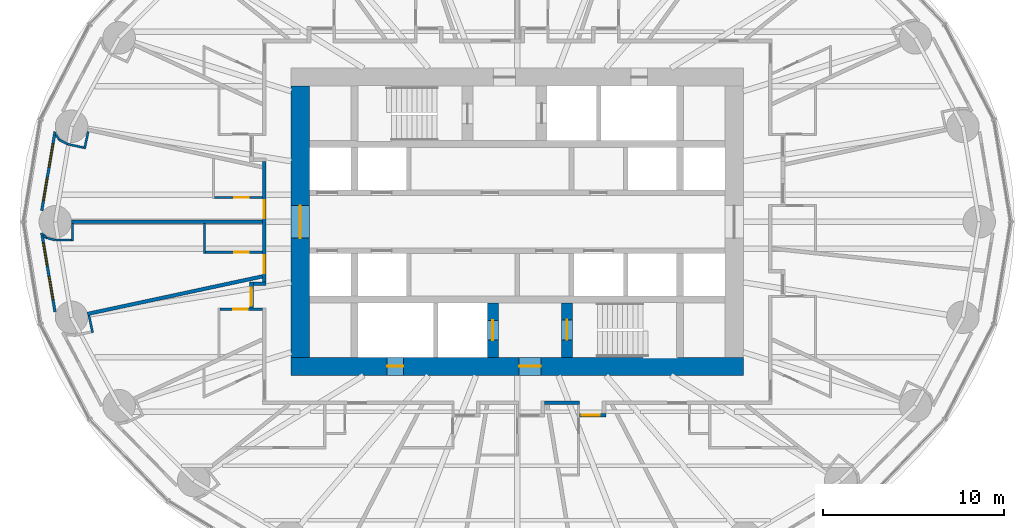
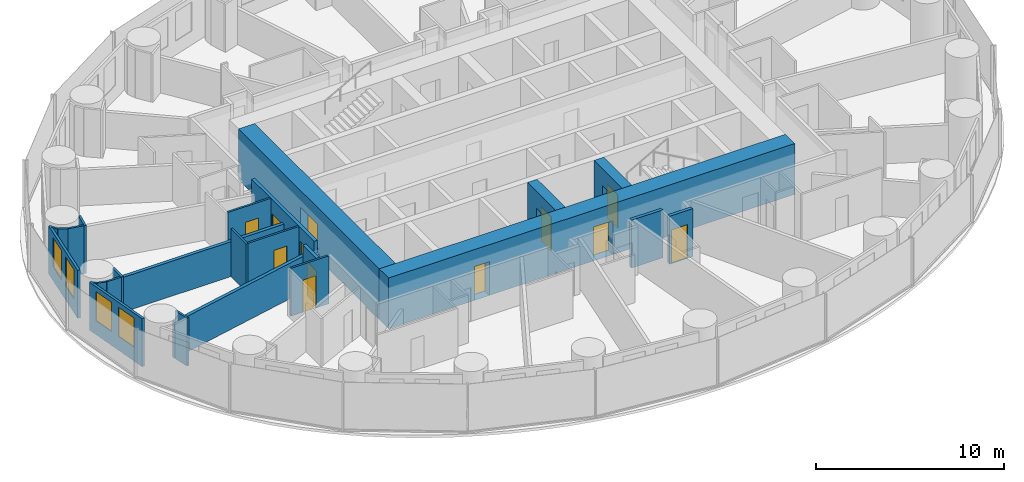
# One storey, part 7 of 14: 26 walls, 12 doors, 4 windows, 16 openings.
"""IFC4 building model written with IfcOpenShell, lengths in metres."""

from ifc_helpers import new_model, si_unit, direction, frame, frame_2d, origin, place, context, subcontext, project, spatial, rectangle, extrude, material, layer, layer_set, type_object, element, fill, save


model = new_model("IFC4")

# Units and contexts
model_context = context("Model", 3, precision=1e-05, world=origin(), true_north=direction((0.0, 1.0)))
body_context = subcontext(model_context, "Body", "Model", "MODEL_VIEW")
ifc_project = project(units=[si_unit("LENGTHUNIT", "METRE"), si_unit("AREAUNIT", "SQUARE_METRE"), si_unit("VOLUMEUNIT", "CUBIC_METRE"), si_unit("PLANEANGLEUNIT", "RADIAN"), si_unit("MASSUNIT", "GRAM", prefix="KILO")], contexts=[model_context])

# Site, building, storey
site_placement = place(None, origin())
site = spatial("IfcSite", under=ifc_project, at=site_placement, CompositionType="ELEMENT")
building_placement = place(site_placement, origin())
building = spatial("IfcBuilding", under=site, at=building_placement, Name="Hankou Lantern Tower", CompositionType="ELEMENT")
storey_placement = place(building_placement, frame((0.0, 0.0, 29.39990234375)))
storey = spatial("IfcBuildingStorey", under=building, at=storey_placement, Name="L05", CompositionType="ELEMENT", Elevation=29.39990234375)

# Wall, openings, doors
ifc_material_1 = material(Name="Concrete C60", Category="concrete")
ifc_layer_1 = layer(ifc_material_1, 1.0)
ifc_layer_set_1 = layer_set([ifc_layer_1], Name="Concrete C60")
wall_type_1 = type_object("IfcWallType", Name="CW1 CORE WALL 1000", PredefinedType="SHEAR", material=ifc_layer_set_1)
wall_1_placement = place(storey_placement, frame((12.5, -8.0, 0.0), z_axis=(0.0, 0.0, 1.0), x_axis=(-1.0, 0.0, 0.0)))
wall_1 = element("IfcWall", 1, at=wall_1_placement, inside=storey, type_object=wall_type_1, Name="Core wall south L05", PredefinedType="SHEAR", context=body_context, shape_type="SweptSolid", body=[
    extrude(rectangle(XDim=25.0, YDim=1.0, at=frame_2d((12.5, 0.0))), origin(), (0.0, 0.0, 1.0), 3.300048828125),
])
opening_1_placement = place(wall_1_placement, frame((11.199951171875, 0.0, 0.0)))
opening_1 = element("IfcOpeningElement", 2, at=opening_1_placement, cuts=wall_1, Name="Opening D5", PredefinedType="OPENING", context=body_context, shape_type="SweptSolid", body=[
    extrude(rectangle(XDim=1.199951171875, YDim=2.199951171875, at=frame_2d((0.60009765625, 1.10009765625))), frame((0.0, 0.510009765625, 0.0), z_axis=(0.0, -1.0, 0.0), x_axis=(1.0, 0.0, 0.0)), (0.0, 0.0, 1.0), 1.02001953125),
])
opening_2_placement = place(wall_1_placement, frame((18.800048828125, 0.0, 0.0)))
opening_2 = element("IfcOpeningElement", 3, at=opening_2_placement, cuts=wall_1, Name="Opening D7", PredefinedType="OPENING", context=body_context, shape_type="SweptSolid", body=[
    extrude(rectangle(XDim=0.89990234375, YDim=2.199951171875, at=frame_2d((0.449951171875, 1.10009765625))), frame((0.0, 0.510009765625, 0.0), z_axis=(0.0, -1.0, 0.0), x_axis=(1.0, 0.0, 0.0)), (0.0, 0.0, 1.0), 1.02001953125),
])
ifc_material_2 = material(Name="Steel door leaf", Category="steel")
door_type_1 = type_object("IfcDoorType", Name="D5 STAIR LOBBY DOOR 1200X2200", OperationType="SINGLE_SWING_LEFT", PredefinedType="DOOR", material=ifc_material_2)
door_1_placement = place(opening_1_placement, origin())
door_1 = element("IfcDoor", 4, at=door_1_placement, inside=storey, type_object=door_type_1, Name="Stair B lobby door", OperationType="SINGLE_SWING_LEFT", OverallHeight=2.199951171875, OverallWidth=1.199951171875, PredefinedType="DOOR", context=body_context, shape_type="SweptSolid", body=[
    extrude(rectangle(XDim=1.199951171875, YDim=2.199951171875, at=frame_2d((0.60009765625, 1.10009765625))), frame((0.0, 0.02490234375, 0.0), z_axis=(0.0, -1.0, 0.0), x_axis=(1.0, 0.0, 0.0)), (0.0, 0.0, 1.0), 0.050048828125),
])
fill(opening_1, door_1)
ifc_material_3 = material(Name="Steel door leaf", Category="steel")
door_type_2 = type_object("IfcDoorType", Name="D7 RISER DOOR 900X2200", OperationType="SINGLE_SWING_LEFT", PredefinedType="DOOR", material=ifc_material_3)
door_2_placement = place(opening_2_placement, origin())
door_2 = element("IfcDoor", 5, at=door_2_placement, inside=storey, type_object=door_type_2, Name="Riser S1 door", OperationType="SINGLE_SWING_RIGHT", OverallHeight=2.199951171875, OverallWidth=0.89990234375, PredefinedType="DOOR", context=body_context, shape_type="SweptSolid", body=[
    extrude(rectangle(XDim=0.89990234375, YDim=2.199951171875, at=frame_2d((0.449951171875, 1.10009765625))), frame((0.0, 0.02490234375, 0.0), z_axis=(0.0, -1.0, 0.0), x_axis=(1.0, 0.0, 0.0)), (0.0, 0.0, 1.0), 0.050048828125),
])
fill(opening_2, door_2)

# Wall, opening, door
wall_2_placement = place(storey_placement, frame((-12.0, 7.5, 0.0), z_axis=(0.0, 0.0, 1.0), x_axis=(0.0, -1.0, 0.0)))
wall_2 = element("IfcWall", 6, at=wall_2_placement, inside=storey, type_object=wall_type_1, Name="Core wall west L05", PredefinedType="SHEAR", context=body_context, shape_type="SweptSolid", body=[
    extrude(rectangle(XDim=15.0, YDim=1.0, at=frame_2d((7.5, 0.0))), origin(), (0.0, 0.0, 1.0), 3.300048828125),
])
opening_3_placement = place(wall_2_placement, frame((6.60009765625, 0.0, 0.0)))
opening_3 = element("IfcOpeningElement", 7, at=opening_3_placement, cuts=wall_2, Name="Opening D6", PredefinedType="OPENING", context=body_context, shape_type="SweptSolid", body=[
    extrude(rectangle(XDim=1.800048828125, YDim=2.199951171875, at=frame_2d((0.89990234375, 1.10009765625))), frame((0.0, 0.510009765625, 0.0), z_axis=(0.0, -1.0, 0.0), x_axis=(1.0, 0.0, 0.0)), (0.0, 0.0, 1.0), 1.02001953125),
])
ifc_material_4 = material(Name="Steel door leaf", Category="steel")
door_type_3 = type_object("IfcDoorType", Name="D6 LIFT LOBBY DOOR 1800X2200", OperationType="DOUBLE_DOOR_DOUBLE_SWING", PredefinedType="DOOR", material=ifc_material_4)
door_3_placement = place(opening_3_placement, origin())
door_3 = element("IfcDoor", 8, at=door_3_placement, inside=storey, type_object=door_type_3, Name="Lift lobby west door", OperationType="DOUBLE_DOOR_DOUBLE_SWING", OverallHeight=2.199951171875, OverallWidth=1.800048828125, PredefinedType="DOOR", context=body_context, shape_type="SweptSolid", body=[
    extrude(rectangle(XDim=1.800048828125, YDim=2.199951171875, at=frame_2d((0.89990234375, 1.10009765625))), frame((0.0, 0.02490234375, 0.0), z_axis=(0.0, -1.0, 0.0), x_axis=(1.0, 0.0, 0.0)), (0.0, 0.0, 1.0), 0.050048828125),
])
fill(opening_3, door_3)

ifc_material_5 = material(Name="Concrete C60", Category="concrete")
ifc_layer_2 = layer(ifc_material_5, 0.60009765625)
ifc_layer_set_2 = layer_set([ifc_layer_2], Name="Concrete C60")
wall_type_2 = type_object("IfcWallType", Name="CW6 STAIR AND SHAFT WALL 600", PredefinedType="SHEAR", material=ifc_layer_set_2)
wall_3_placement = place(storey_placement, frame((2.75, -7.5, 0.0), z_axis=(0.0, 0.0, 1.0), x_axis=(0.0, 1.0, 0.0)))
wall_3 = element("IfcWall", 9, at=wall_3_placement, inside=storey, type_object=wall_type_2, Name="Stair wall L05", PredefinedType="SHEAR", context=body_context, shape_type="SweptSolid", body=[
    extrude(rectangle(XDim=3.0, YDim=0.60009765625, at=frame_2d((1.5, 0.0))), origin(), (0.0, 0.0, 1.0), 3.300048828125),
])
opening_4_placement = place(wall_3_placement, frame((0.97509765625, 0.0, 0.0)))
opening_4 = element("IfcOpeningElement", 10, at=opening_4_placement, cuts=wall_3, Name="Opening D4", PredefinedType="OPENING", context=body_context, shape_type="SweptSolid", body=[
    extrude(rectangle(XDim=1.10009765625, YDim=2.199951171875, at=frame_2d((0.550048828125, 1.10009765625))), frame((0.0, 0.31005859375, 0.0), z_axis=(0.0, -1.0, 0.0), x_axis=(1.0, 0.0, 0.0)), (0.0, 0.0, 1.0), 0.6201171875),
])
ifc_material_6 = material(Name="Steel door leaf", Category="steel")
door_type_4 = type_object("IfcDoorType", Name="D4 STAIR DOOR 1100X2200", OperationType="SINGLE_SWING_LEFT", PredefinedType="DOOR", material=ifc_material_6)
door_4_placement = place(opening_4_placement, origin())
door_4 = element("IfcDoor", 11, at=door_4_placement, inside=storey, type_object=door_type_4, Name="Stair B door", OperationType="SINGLE_SWING_RIGHT", OverallHeight=2.199951171875, OverallWidth=1.10009765625, PredefinedType="DOOR", context=body_context, shape_type="SweptSolid", body=[
    extrude(rectangle(XDim=1.10009765625, YDim=2.199951171875, at=frame_2d((0.550048828125, 1.10009765625))), frame((0.0, 0.02490234375, 0.0), z_axis=(0.0, -1.0, 0.0), x_axis=(1.0, 0.0, 0.0)), (0.0, 0.0, 1.0), 0.050048828125),
])
fill(opening_4, door_4)

wall_4_placement = place(storey_placement, frame((-1.35009765625, -7.5, 0.0), z_axis=(0.0, 0.0, 1.0), x_axis=(0.0, 1.0, 0.0)))
wall_4 = element("IfcWall", 12, at=wall_4_placement, inside=storey, type_object=wall_type_2, Name="Firefighting lift shaft wall L05", PredefinedType="SHEAR", context=body_context, shape_type="SweptSolid", body=[
    extrude(rectangle(XDim=3.0, YDim=0.60009765625, at=frame_2d((1.5, 0.0))), origin(), (0.0, 0.0, 1.0), 3.300048828125),
])
opening_5_placement = place(wall_4_placement, frame((0.949951171875, 0.0, 0.0)))
opening_5 = element("IfcOpeningElement", 13, at=opening_5_placement, cuts=wall_4, Name="Opening LD2", PredefinedType="OPENING", context=body_context, shape_type="SweptSolid", body=[
    extrude(rectangle(XDim=1.10009765625, YDim=2.199951171875, at=frame_2d((0.550048828125, 1.10009765625))), frame((0.0, 0.31005859375, 0.0), z_axis=(0.0, -1.0, 0.0), x_axis=(1.0, 0.0, 0.0)), (0.0, 0.0, 1.0), 0.6201171875),
])
ifc_material_7 = material(Name="Steel door leaf", Category="steel")
door_type_5 = type_object("IfcDoorType", Name="LD2 FIREFIGHTING LIFT LANDING DOOR 1100X2200", OperationType="DOUBLE_DOOR_SLIDING", PredefinedType="DOOR", material=ifc_material_7)
door_5_placement = place(opening_5_placement, origin())
door_5 = element("IfcDoor", 14, at=door_5_placement, inside=storey, type_object=door_type_5, Name="Firefighting lift FL2 landing door", OperationType="DOUBLE_DOOR_SLIDING", OverallHeight=2.199951171875, OverallWidth=1.10009765625, PredefinedType="DOOR", context=body_context, shape_type="SweptSolid", body=[
    extrude(rectangle(XDim=1.10009765625, YDim=2.199951171875, at=frame_2d((0.550048828125, 1.10009765625))), frame((0.0, 0.02490234375, 0.0), z_axis=(0.0, -1.0, 0.0), x_axis=(1.0, 0.0, 0.0)), (0.0, 0.0, 1.0), 0.050048828125),
])
fill(opening_5, door_5)

# Wall, openings, windows
ifc_material_8 = material(Name="Aluminium spandrel panel on steel studs", Category="steel")
ifc_layer_3 = layer(ifc_material_8, 0.14990234375)
ifc_layer_set_3 = layer_set([ifc_layer_3], Name="Aluminium spandrel panel on steel studs")
wall_type_3 = type_object("IfcWallType", Name="EW1 INNER SKIN WALL 150", PredefinedType="ELEMENTEDWALL", material=ifc_layer_set_3)
wall_5_placement = place(storey_placement, frame((-25.56396484375, 4.9775390625, 0.0), z_axis=(0.0, 0.0, 1.0), x_axis=(-0.165641751141, -0.986185991727, 0.0)))
wall_5 = element("IfcWall", 15, at=wall_5_placement, inside=storey, type_object=wall_type_3, Name="Inner skin R12-R13 L05", PredefinedType="ELEMENTEDWALL", context=body_context, shape_type="SweptSolid", body=[
    extrude(rectangle(XDim=4.427734375, YDim=0.14990234375, at=frame_2d((2.2138671875, 0.0))), origin(), (0.0, 0.0, 1.0), 3.1201171875),
])
opening_6_placement = place(wall_5_placement, frame((0.677734375, 0.0, 0.89990234375)))
opening_6 = element("IfcOpeningElement", 16, at=opening_6_placement, cuts=wall_5, Name="Opening W9", PredefinedType="OPENING", context=body_context, shape_type="SweptSolid", body=[
    extrude(rectangle(XDim=1.300048828125, YDim=1.89990234375, at=frame_2d((0.64990234375, 0.949951171875))), frame((0.0, 0.0849609375, 0.0), z_axis=(0.0, -1.0, 0.0), x_axis=(1.0, 0.0, 0.0)), (0.0, 0.0, 1.0), 0.169921875),
])
opening_7_placement = place(wall_5_placement, frame((2.57763671875, 0.0, 0.89990234375)))
opening_7 = element("IfcOpeningElement", 17, at=opening_7_placement, cuts=wall_5, Name="Opening W9", PredefinedType="OPENING", context=body_context, shape_type="SweptSolid", body=[
    extrude(rectangle(XDim=1.300048828125, YDim=1.89990234375, at=frame_2d((0.64990234375, 0.949951171875))), frame((0.0, 0.0849609375, 0.0), z_axis=(0.0, -1.0, 0.0), x_axis=(1.0, 0.0, 0.0)), (0.0, 0.0, 1.0), 0.169921875),
])
ifc_material_9 = material(Name="Aluminium framed double glazed window", Category="aluminium")
window_type = type_object("IfcWindowType", Name="W9 GUEST ROOM WINDOW 1300X1900", PartitioningType="DOUBLE_PANEL_VERTICAL", PredefinedType="WINDOW", material=ifc_material_9)
window_1_placement = place(opening_6_placement, origin())
window_1 = element("IfcWindow", 18, at=window_1_placement, inside=storey, type_object=window_type, Name="Window R12.1 L05", OverallHeight=1.89990234375, OverallWidth=1.300048828125, PartitioningType="SINGLE_PANEL", PredefinedType="WINDOW", context=body_context, shape_type="SweptSolid", body=[
    extrude(rectangle(XDim=1.300048828125, YDim=1.89990234375, at=frame_2d((0.64990234375, 0.949951171875))), frame((0.0, 0.030029296875, 0.0), z_axis=(0.0, -1.0, 0.0), x_axis=(1.0, 0.0, 0.0)), (0.0, 0.0, 1.0), 0.06005859375),
])
fill(opening_6, window_1)
window_2_placement = place(opening_7_placement, origin())
window_2 = element("IfcWindow", 19, at=window_2_placement, inside=storey, type_object=window_type, Name="Window R12.2 L05", OverallHeight=1.89990234375, OverallWidth=1.300048828125, PartitioningType="SINGLE_PANEL", PredefinedType="WINDOW", context=body_context, shape_type="SweptSolid", body=[
    extrude(rectangle(XDim=1.300048828125, YDim=1.89990234375, at=frame_2d((0.64990234375, 0.949951171875))), frame((0.0, 0.030029296875, 0.0), z_axis=(0.0, -1.0, 0.0), x_axis=(1.0, 0.0, 0.0)), (0.0, 0.0, 1.0), 0.06005859375),
])
fill(opening_7, window_2)

wall_6_placement = place(storey_placement, frame((-26.29736328125, -0.611083984375, 0.0), z_axis=(0.0, 0.0, 1.0), x_axis=(0.165641751141, -0.986185991727, 0.0)))
wall_6 = element("IfcWall", 20, at=wall_6_placement, inside=storey, type_object=wall_type_3, Name="Inner skin R13-R14 L05", PredefinedType="ELEMENTEDWALL", context=body_context, shape_type="SweptSolid", body=[
    extrude(rectangle(XDim=4.427734375, YDim=0.14990234375, at=frame_2d((2.2138671875, 0.0))), origin(), (0.0, 0.0, 1.0), 3.1201171875),
])
opening_8_placement = place(wall_6_placement, frame((0.5498046875, 0.0, 0.89990234375)))
opening_8 = element("IfcOpeningElement", 21, at=opening_8_placement, cuts=wall_6, Name="Opening W9", PredefinedType="OPENING", context=body_context, shape_type="SweptSolid", body=[
    extrude(rectangle(XDim=1.300048828125, YDim=1.89990234375, at=frame_2d((0.64990234375, 0.949951171875))), frame((0.0, 0.0849609375, 0.0), z_axis=(0.0, -1.0, 0.0), x_axis=(1.0, 0.0, 0.0)), (0.0, 0.0, 1.0), 0.169921875),
])
opening_9_placement = place(wall_6_placement, frame((2.44970703125, 0.0, 0.89990234375)))
opening_9 = element("IfcOpeningElement", 22, at=opening_9_placement, cuts=wall_6, Name="Opening W9", PredefinedType="OPENING", context=body_context, shape_type="SweptSolid", body=[
    extrude(rectangle(XDim=1.300048828125, YDim=1.89990234375, at=frame_2d((0.64990234375, 0.949951171875))), frame((0.0, 0.0849609375, 0.0), z_axis=(0.0, -1.0, 0.0), x_axis=(1.0, 0.0, 0.0)), (0.0, 0.0, 1.0), 0.169921875),
])
window_3_placement = place(opening_8_placement, origin())
window_3 = element("IfcWindow", 23, at=window_3_placement, inside=storey, type_object=window_type, Name="Window R13.1 L05", OverallHeight=1.89990234375, OverallWidth=1.300048828125, PartitioningType="SINGLE_PANEL", PredefinedType="WINDOW", context=body_context, shape_type="SweptSolid", body=[
    extrude(rectangle(XDim=1.300048828125, YDim=1.89990234375, at=frame_2d((0.64990234375, 0.949951171875))), frame((0.0, 0.030029296875, 0.0), z_axis=(0.0, -1.0, 0.0), x_axis=(1.0, 0.0, 0.0)), (0.0, 0.0, 1.0), 0.06005859375),
])
fill(opening_8, window_3)
window_4_placement = place(opening_9_placement, origin())
window_4 = element("IfcWindow", 24, at=window_4_placement, inside=storey, type_object=window_type, Name="Window R13.2 L05", OverallHeight=1.89990234375, OverallWidth=1.300048828125, PartitioningType="SINGLE_PANEL", PredefinedType="WINDOW", context=body_context, shape_type="SweptSolid", body=[
    extrude(rectangle(XDim=1.300048828125, YDim=1.89990234375, at=frame_2d((0.64990234375, 0.949951171875))), frame((0.0, 0.030029296875, 0.0), z_axis=(0.0, -1.0, 0.0), x_axis=(1.0, 0.0, 0.0)), (0.0, 0.0, 1.0), 0.06005859375),
])
fill(opening_9, window_4)

# Walls
ifc_material_10 = material(Name="Masonry lightweight concrete block", Category="masonry")
ifc_layer_4 = layer(ifc_material_10, 0.199951171875)
ifc_layer_set_4 = layer_set([ifc_layer_4], Name="Masonry lightweight concrete block")
wall_type_4 = type_object("IfcWallType", Name="IW1 GUEST ROOM PARTY WALL 200", PredefinedType="PARTITIONING", material=ifc_layer_set_4)
wall_7_placement = place(storey_placement, frame((-14.10009765625, 0.0, 0.0), z_axis=(0.0, 0.0, 1.0), x_axis=(-1.0, 0.0, 0.0)))
element("IfcWall", 25, at=wall_7_placement, inside=storey, type_object=wall_type_4, Name="Party wall R13", PredefinedType="PARTITIONING", context=body_context, shape_type="SweptSolid", body=[
    extrude(rectangle(XDim=10.5498046875, YDim=0.199951171875, at=frame_2d((5.27490234375, 0.0))), origin(), (0.0, 0.0, 1.0), 2.27001953125),
])
wall_8_placement = place(storey_placement, frame((-14.10009765625, -3.0224609375, 0.0), z_axis=(0.0, 0.0, 1.0), x_axis=(-0.977786510688, -0.209603290805, 0.0)))
element("IfcWall", 26, at=wall_8_placement, inside=storey, type_object=wall_type_4, Name="Party wall R14", PredefinedType="PARTITIONING", context=body_context, shape_type="SweptSolid", body=[
    extrude(rectangle(XDim=9.88671875, YDim=0.199951171875, at=frame_2d((4.943359375, 0.0))), origin(), (0.0, 0.0, 1.0), 2.320068359375),
])

# Wall, opening, door
ifc_material_11 = material(Name="Masonry lightweight concrete block", Category="masonry")
ifc_layer_5 = layer(ifc_material_11, 0.199951171875)
ifc_layer_set_5 = layer_set([ifc_layer_5], Name="Masonry lightweight concrete block")
wall_type_5 = type_object("IfcWallType", Name="IW2 CORRIDOR WALL 200", PredefinedType="PARTITIONING", material=ifc_layer_set_5)
wall_9_placement = place(storey_placement, frame((-14.699951171875, -3.33251953125, 0.0), z_axis=(0.0, 0.0, 1.0), x_axis=(0.0, -1.0, 0.0)))
wall_9 = element("IfcWall", 27, at=wall_9_placement, inside=storey, type_object=wall_type_5, Name="Corridor recess wall 0516 back", PredefinedType="PARTITIONING", context=body_context, shape_type="SweptSolid", body=[
    extrude(rectangle(XDim=1.43994140625, YDim=0.199951171875, at=frame_2d((0.719970703125, 0.0))), origin(), (0.0, 0.0, 1.0), 3.1201171875),
])
opening_10_placement = place(wall_9_placement, frame((0.320068359375, 0.0, 0.0)))
opening_10 = element("IfcOpeningElement", 28, at=opening_10_placement, cuts=wall_9, Name="Opening D1", PredefinedType="OPENING", context=body_context, shape_type="SweptSolid", body=[
    extrude(rectangle(XDim=1.0, YDim=2.199951171875, at=frame_2d((0.5, 1.10009765625))), frame((0.0, 0.10986328125, 0.0), z_axis=(0.0, -1.0, 0.0), x_axis=(1.0, 0.0, 0.0)), (0.0, 0.0, 1.0), 0.219970703125),
])
ifc_material_12 = material(Name="Steel door leaf", Category="steel")
door_type_6 = type_object("IfcDoorType", Name="D1 GUEST ROOM DOOR 1000X2200", OperationType="SINGLE_SWING_LEFT", PredefinedType="DOOR", material=ifc_material_12)
door_6_placement = place(opening_10_placement, origin())
door_6 = element("IfcDoor", 29, at=door_6_placement, inside=storey, type_object=door_type_6, Name="Guest room door 0516", OperationType="SINGLE_SWING_RIGHT", OverallHeight=2.199951171875, OverallWidth=1.0, PredefinedType="DOOR", context=body_context, shape_type="SweptSolid", body=[
    extrude(rectangle(XDim=1.0, YDim=2.199951171875, at=frame_2d((0.5, 1.10009765625))), frame((0.0, 0.02490234375, 0.0), z_axis=(0.0, -1.0, 0.0), x_axis=(1.0, 0.0, 0.0)), (0.0, 0.0, 1.0), 0.050048828125),
])
fill(opening_10, door_6)

# Wall
wall_10_placement = place(storey_placement, frame((-13.89990234375, -3.4326171875, 0.0), z_axis=(0.0, 0.0, 1.0), x_axis=(-1.0, 0.0, 0.0)))
element("IfcWall", 30, at=wall_10_placement, inside=storey, type_object=wall_type_5, Name="Corridor recess wall 0516 side", PredefinedType="PARTITIONING", context=body_context, shape_type="SweptSolid", body=[
    extrude(rectangle(XDim=0.7001953125, YDim=0.199951171875, at=frame_2d((0.35009765625, 0.0))), origin(), (0.0, 0.0, 1.0), 2.320068359375),
])

# Wall, opening, door
wall_11_placement = place(storey_placement, frame((4.89501953125, -10.699951171875, 0.0), z_axis=(0.0, 0.0, 1.0), x_axis=(-1.0, 0.0, 0.0)))
wall_11 = element("IfcWall", 31, at=wall_11_placement, inside=storey, type_object=wall_type_5, Name="Corridor recess wall 0521 back", PredefinedType="PARTITIONING", context=body_context, shape_type="SweptSolid", body=[
    extrude(rectangle(XDim=1.43994140625, YDim=0.199951171875, at=frame_2d((0.719970703125, 0.0))), origin(), (0.0, 0.0, 1.0), 3.1201171875),
])
opening_11_placement = place(wall_11_placement, frame((0.320068359375, 0.0, 0.0)))
opening_11 = element("IfcOpeningElement", 32, at=opening_11_placement, cuts=wall_11, Name="Opening D1", PredefinedType="OPENING", context=body_context, shape_type="SweptSolid", body=[
    extrude(rectangle(XDim=1.0, YDim=2.199951171875, at=frame_2d((0.5, 1.10009765625))), frame((0.0, 0.10986328125, 0.0), z_axis=(0.0, -1.0, 0.0), x_axis=(1.0, 0.0, 0.0)), (0.0, 0.0, 1.0), 0.219970703125),
])
door_7_placement = place(opening_11_placement, origin())
door_7 = element("IfcDoor", 33, at=door_7_placement, inside=storey, type_object=door_type_6, Name="Guest room door 0521", OperationType="SINGLE_SWING_RIGHT", OverallHeight=2.199951171875, OverallWidth=1.0, PredefinedType="DOOR", context=body_context, shape_type="SweptSolid", body=[
    extrude(rectangle(XDim=1.0, YDim=2.199951171875, at=frame_2d((0.5, 1.10009765625))), frame((0.0, 0.02490234375, 0.0), z_axis=(0.0, -1.0, 0.0), x_axis=(1.0, 0.0, 0.0)), (0.0, 0.0, 1.0), 0.050048828125),
])
fill(opening_11, door_7)

# Wall, openings, doors
wall_12_placement = place(storey_placement, frame((-14.0, 3.33251953125, 0.0), z_axis=(0.0, 0.0, 1.0), x_axis=(0.0, -1.0, 0.0)))
wall_12 = element("IfcWall", 34, at=wall_12_placement, inside=storey, type_object=wall_type_5, Name="Corridor wall west", PredefinedType="PARTITIONING", context=body_context, shape_type="SweptSolid", body=[
    extrude(rectangle(XDim=6.6650390625, YDim=0.199951171875, at=frame_2d((3.33251953125, 0.0))), origin(), (0.0, 0.0, 1.0), 3.1201171875),
])
opening_12_placement = place(wall_12_placement, frame((2.14990234375, 0.0, 0.0)))
opening_12 = element("IfcOpeningElement", 35, at=opening_12_placement, cuts=wall_12, Name="Opening D1", PredefinedType="OPENING", context=body_context, shape_type="SweptSolid", body=[
    extrude(rectangle(XDim=1.0, YDim=2.199951171875, at=frame_2d((0.5, 1.10009765625))), frame((0.0, 0.10986328125, 0.0), z_axis=(0.0, -1.0, 0.0), x_axis=(1.0, 0.0, 0.0)), (0.0, 0.0, 1.0), 0.219970703125),
])
opening_13_placement = place(wall_12_placement, frame((5.172607421875, 0.0, 0.0)))
opening_13 = element("IfcOpeningElement", 36, at=opening_13_placement, cuts=wall_12, Name="Opening D1", PredefinedType="OPENING", context=body_context, shape_type="SweptSolid", body=[
    extrude(rectangle(XDim=1.0, YDim=2.199951171875, at=frame_2d((0.5, 1.10009765625))), frame((0.0, 0.10986328125, 0.0), z_axis=(0.0, -1.0, 0.0), x_axis=(1.0, 0.0, 0.0)), (0.0, 0.0, 1.0), 0.219970703125),
])
door_8_placement = place(opening_12_placement, origin())
door_8 = element("IfcDoor", 37, at=door_8_placement, inside=storey, type_object=door_type_6, Name="Guest room door 0514", OperationType="SINGLE_SWING_LEFT", OverallHeight=2.199951171875, OverallWidth=1.0, PredefinedType="DOOR", context=body_context, shape_type="SweptSolid", body=[
    extrude(rectangle(XDim=1.0, YDim=2.199951171875, at=frame_2d((0.5, 1.10009765625))), frame((0.0, 0.02490234375, 0.0), z_axis=(0.0, -1.0, 0.0), x_axis=(1.0, 0.0, 0.0)), (0.0, 0.0, 1.0), 0.050048828125),
])
fill(opening_12, door_8)
door_9_placement = place(opening_13_placement, origin())
door_9 = element("IfcDoor", 38, at=door_9_placement, inside=storey, type_object=door_type_6, Name="Guest room door 0515", OperationType="SINGLE_SWING_RIGHT", OverallHeight=2.199951171875, OverallWidth=1.0, PredefinedType="DOOR", context=body_context, shape_type="SweptSolid", body=[
    extrude(rectangle(XDim=1.0, YDim=2.199951171875, at=frame_2d((0.5, 1.10009765625))), frame((0.0, 0.02490234375, 0.0), z_axis=(0.0, -1.0, 0.0), x_axis=(1.0, 0.0, 0.0)), (0.0, 0.0, 1.0), 0.050048828125),
])
fill(opening_13, door_9)

# Wall
wall_13_placement = place(storey_placement, frame((3.455078125, -10.0, 0.0), z_axis=(0.0, 0.0, 1.0), x_axis=(-1.0, 0.0, 0.0)))
element("IfcWall", 39, at=wall_13_placement, inside=storey, type_object=wall_type_5, Name="Corridor wall south", PredefinedType="PARTITIONING", context=body_context, shape_type="SweptSolid", body=[
    extrude(rectangle(XDim=1.93994140625, YDim=0.199951171875, at=frame_2d((0.969970703125, 0.0))), origin(), (0.0, 0.0, 1.0), 3.1201171875),
])

# Wall, opening, door
ifc_material_13 = material(Name="Masonry lightweight concrete block", Category="masonry")
ifc_layer_6 = layer(ifc_material_13, 0.1201171875)
ifc_layer_set_6 = layer_set([ifc_layer_6], Name="Masonry lightweight concrete block")
wall_type_6 = type_object("IfcWallType", Name="IW3 BATHROOM WALL 120", PredefinedType="PARTITIONING", material=ifc_layer_set_6)
wall_14_placement = place(storey_placement, frame((-14.10009765625, 1.342529296875, 0.0), z_axis=(0.0, 0.0, 1.0), x_axis=(-1.0, 0.0, 0.0)))
wall_14 = element("IfcWall", 40, at=wall_14_placement, inside=storey, type_object=wall_type_6, Name="Box wall 0514 1", PredefinedType="PARTITIONING", context=body_context, shape_type="SweptSolid", body=[
    extrude(rectangle(XDim=2.639892578125, YDim=0.1201171875, at=frame_2d((1.31982421875, 0.0))), origin(), (0.0, 0.0, 1.0), 3.1201171875),
])
opening_14_placement = place(wall_14_placement, frame((0.75, 0.0, 0.0)))
opening_14 = element("IfcOpeningElement", 41, at=opening_14_placement, cuts=wall_14, Name="Opening D3", PredefinedType="OPENING", context=body_context, shape_type="SweptSolid", body=[
    extrude(rectangle(XDim=0.800048828125, YDim=2.10009765625, at=frame_2d((0.39990234375, 1.050048828125))), frame((0.0, 0.070068359375, 0.0), z_axis=(0.0, -1.0, 0.0), x_axis=(1.0, 0.0, 0.0)), (0.0, 0.0, 1.0), 0.14013671875),
])
ifc_material_14 = material(Name="Timber door leaf", Category="wood")
door_type_7 = type_object("IfcDoorType", Name="D3 BATHROOM DOOR 800X2100", OperationType="SINGLE_SWING_LEFT", PredefinedType="DOOR", material=ifc_material_14)
door_10_placement = place(opening_14_placement, origin())
door_10 = element("IfcDoor", 42, at=door_10_placement, inside=storey, type_object=door_type_7, Name="En-suite bathroom 0514 door", OperationType="SINGLE_SWING_LEFT", OverallHeight=2.10009765625, OverallWidth=0.800048828125, PredefinedType="DOOR", context=body_context, shape_type="SweptSolid", body=[
    extrude(rectangle(XDim=0.800048828125, YDim=2.10009765625, at=frame_2d((0.39990234375, 1.050048828125))), frame((0.0, 0.02490234375, 0.0), z_axis=(0.0, -1.0, 0.0), x_axis=(1.0, 0.0, 0.0)), (0.0, 0.0, 1.0), 0.050048828125),
])
fill(opening_14, door_10)

# Wall
wall_15_placement = place(storey_placement, frame((-17.300048828125, -0.10009765625, 0.0), z_axis=(0.0, 0.0, 1.0), x_axis=(0.0, -1.0, 0.0)))
element("IfcWall", 43, at=wall_15_placement, inside=storey, type_object=wall_type_6, Name="Box wall 0515 1", PredefinedType="PARTITIONING", context=body_context, shape_type="SweptSolid", body=[
    extrude(rectangle(XDim=1.639892578125, YDim=0.1201171875, at=frame_2d((0.81982421875, 0.0))), origin(), (0.0, 0.0, 1.0), 3.1201171875),
])

# Wall, opening, door
wall_16_placement = place(storey_placement, frame((-14.10009765625, -1.679931640625, 0.0), z_axis=(0.0, 0.0, 1.0), x_axis=(-1.0, 0.0, 0.0)))
wall_16 = element("IfcWall", 44, at=wall_16_placement, inside=storey, type_object=wall_type_6, Name="Box wall 0515 1", PredefinedType="PARTITIONING", context=body_context, shape_type="SweptSolid", body=[
    extrude(rectangle(XDim=3.139892578125, YDim=0.1201171875, at=frame_2d((1.56982421875, 0.0))), origin(), (0.0, 0.0, 1.0), 3.1201171875),
])
opening_15_placement = place(wall_16_placement, frame((0.75, 0.0, 0.0)))
opening_15 = element("IfcOpeningElement", 45, at=opening_15_placement, cuts=wall_16, Name="Opening D3", PredefinedType="OPENING", context=body_context, shape_type="SweptSolid", body=[
    extrude(rectangle(XDim=0.800048828125, YDim=2.10009765625, at=frame_2d((0.39990234375, 1.050048828125))), frame((0.0, 0.070068359375, 0.0), z_axis=(0.0, -1.0, 0.0), x_axis=(1.0, 0.0, 0.0)), (0.0, 0.0, 1.0), 0.14013671875),
])
door_11_placement = place(opening_15_placement, origin())
door_11 = element("IfcDoor", 46, at=door_11_placement, inside=storey, type_object=door_type_7, Name="En-suite bathroom 0515 door", OperationType="SINGLE_SWING_LEFT", OverallHeight=2.10009765625, OverallWidth=0.800048828125, PredefinedType="DOOR", context=body_context, shape_type="SweptSolid", body=[
    extrude(rectangle(XDim=0.800048828125, YDim=2.10009765625, at=frame_2d((0.39990234375, 1.050048828125))), frame((0.0, 0.02490234375, 0.0), z_axis=(0.0, -1.0, 0.0), x_axis=(1.0, 0.0, 0.0)), (0.0, 0.0, 1.0), 0.050048828125),
])
fill(opening_15, door_11)

wall_17_placement = place(storey_placement, frame((-14.10009765625, -4.83251953125, 0.0), z_axis=(0.0, 0.0, 1.0), x_axis=(-1.0, 0.0, 0.0)))
wall_17 = element("IfcWall", 47, at=wall_17_placement, inside=storey, type_object=wall_type_6, Name="Box wall 0516 1", PredefinedType="PARTITIONING", context=body_context, shape_type="SweptSolid", body=[
    extrude(rectangle(XDim=2.33984375, YDim=0.1201171875, at=frame_2d((1.169921875, 0.0))), origin(), (0.0, 0.0, 1.0), 3.1201171875),
])
opening_16_placement = place(wall_17_placement, frame((0.800048828125, 0.0, 0.0)))
opening_16 = element("IfcOpeningElement", 48, at=opening_16_placement, cuts=wall_17, Name="Opening D3", PredefinedType="OPENING", context=body_context, shape_type="SweptSolid", body=[
    extrude(rectangle(XDim=0.800048828125, YDim=2.10009765625, at=frame_2d((0.39990234375, 1.050048828125))), frame((0.0, 0.070068359375, 0.0), z_axis=(0.0, -1.0, 0.0), x_axis=(1.0, 0.0, 0.0)), (0.0, 0.0, 1.0), 0.14013671875),
])
door_12_placement = place(opening_16_placement, origin())
door_12 = element("IfcDoor", 49, at=door_12_placement, inside=storey, type_object=door_type_7, Name="En-suite bathroom 0516 door", OperationType="SINGLE_SWING_RIGHT", OverallHeight=2.10009765625, OverallWidth=0.800048828125, PredefinedType="DOOR", context=body_context, shape_type="SweptSolid", body=[
    extrude(rectangle(XDim=0.800048828125, YDim=2.10009765625, at=frame_2d((0.39990234375, 1.050048828125))), frame((0.0, 0.02490234375, 0.0), z_axis=(0.0, -1.0, 0.0), x_axis=(1.0, 0.0, 0.0)), (0.0, 0.0, 1.0), 0.050048828125),
])
fill(opening_16, door_12)

# Walls
ifc_material_15 = material(Name="Masonry lightweight concrete block", Category="masonry")
ifc_layer_7 = layer(ifc_material_15, 0.1201171875)
ifc_layer_set_7 = layer_set([ifc_layer_7], Name="Masonry lightweight concrete block")
wall_type_7 = type_object("IfcWallType", Name="IW4 PARTITION 120", PredefinedType="PARTITIONING", material=ifc_layer_set_7)
wall_18_placement = place(storey_placement, frame((-23.729248046875, 4.984375, 0.0), z_axis=(0.0, 0.0, 1.0), x_axis=(-0.20968306268, -0.977769406979, 0.0)))
element("IfcWall", 50, at=wall_18_placement, inside=storey, type_object=wall_type_7, Name="Column casing R12 return", PredefinedType="PARTITIONING", context=body_context, shape_type="SweptSolid", body=[
    extrude(rectangle(XDim=0.974609375, YDim=0.1201171875, at=frame_2d((0.4873046875, 0.0))), origin(), (0.0, 0.0, 1.0), 3.1201171875),
])
wall_19_placement = place(storey_placement, frame((-23.979736328125, 4.1025390625, 0.0), z_axis=(0.0, 0.0, 1.0), x_axis=(-0.977762694187, 0.209714362543, 0.0)))
element("IfcWall", 51, at=wall_19_placement, inside=storey, type_object=wall_type_7, Name="Column casing R12", PredefinedType="PARTITIONING", context=body_context, shape_type="SweptSolid", body=[
    extrude(rectangle(XDim=0.89990234375, YDim=0.1201171875, at=frame_2d((0.449951171875, 0.0))), origin(), (0.0, 0.0, 1.0), 3.1201171875),
])
wall_20_placement = place(storey_placement, frame((-24.859619140625, 4.291259765625, 0.0), z_axis=(0.0, 0.0, 1.0), x_axis=(-0.890204323062, 0.455561481254, 0.0)))
element("IfcWall", 52, at=wall_20_placement, inside=storey, type_object=wall_type_7, Name="Column casing R12", PredefinedType="PARTITIONING", context=body_context, shape_type="SweptSolid", body=[
    extrude(rectangle(XDim=0.525146484375, YDim=0.1201171875, at=frame_2d((0.2626953125, 0.0))), origin(), (0.0, 0.0, 1.0), 3.1201171875),
])
wall_21_placement = place(storey_placement, frame((-25.3271484375, 4.530517578125, 0.0), z_axis=(0.0, 0.0, 1.0), x_axis=(-0.543516034791, 0.839398784801, 0.0)))
element("IfcWall", 53, at=wall_21_placement, inside=storey, type_object=wall_type_7, Name="Column casing R12", PredefinedType="PARTITIONING", context=body_context, shape_type="SweptSolid", body=[
    extrude(rectangle(XDim=0.343994140625, YDim=0.1201171875, at=frame_2d((0.171875, 0.0))), origin(), (0.0, 0.0, 1.0), 3.1201171875),
])
wall_22_placement = place(storey_placement, frame((-24.590087890625, -0.10009765625, 0.0), z_axis=(0.0, 0.0, 1.0), x_axis=(0.0, -1.0, 0.0)))
element("IfcWall", 54, at=wall_22_placement, inside=storey, type_object=wall_type_7, Name="Column casing R13 return", PredefinedType="PARTITIONING", context=body_context, shape_type="SweptSolid", body=[
    extrude(rectangle(XDim=0.974365234375, YDim=0.1201171875, at=frame_2d((0.4873046875, 0.0))), origin(), (0.0, 0.0, 1.0), 3.1201171875),
])
wall_23_placement = place(storey_placement, frame((-24.64990234375, -1.0146484375, 0.0), z_axis=(0.0, 0.0, 1.0), x_axis=(-1.0, 0.0, 0.0)))
element("IfcWall", 55, at=wall_23_placement, inside=storey, type_object=wall_type_7, Name="Column casing R13", PredefinedType="PARTITIONING", context=body_context, shape_type="SweptSolid", body=[
    extrude(rectangle(XDim=0.900146484375, YDim=0.1201171875, at=frame_2d((0.4501953125, 0.0))), origin(), (0.0, 0.0, 1.0), 3.1201171875),
])
wall_24_placement = place(storey_placement, frame((-25.550048828125, -1.0146484375, 0.0), z_axis=(0.0, 0.0, 1.0), x_axis=(-0.96590239779, 0.258906465625, 0.0)))
element("IfcWall", 56, at=wall_24_placement, inside=storey, type_object=wall_type_7, Name="Column casing R13", PredefinedType="PARTITIONING", context=body_context, shape_type="SweptSolid", body=[
    extrude(rectangle(XDim=0.525146484375, YDim=0.1201171875, at=frame_2d((0.2626953125, 0.0))), origin(), (0.0, 0.0, 1.0), 3.1201171875),
])
wall_25_placement = place(storey_placement, frame((-26.057373046875, -0.878662109375, 0.0), z_axis=(0.0, 0.0, 1.0), x_axis=(-0.707106781187, 0.707106781187, 0.0)))
element("IfcWall", 57, at=wall_25_placement, inside=storey, type_object=wall_type_7, Name="Column casing R13", PredefinedType="PARTITIONING", context=body_context, shape_type="SweptSolid", body=[
    extrude(rectangle(XDim=0.20361328125, YDim=0.1201171875, at=frame_2d((0.101806640625, 0.0))), origin(), (0.0, 0.0, 1.0), 3.1201171875),
])
wall_26_placement = place(storey_placement, frame((-23.687255859375, -5.179931640625, 0.0), z_axis=(0.0, 0.0, 1.0), x_axis=(0.209443540911, -0.977820741839, 0.0)))
element("IfcWall", 58, at=wall_26_placement, inside=storey, type_object=wall_type_7, Name="Column casing R14 return", PredefinedType="PARTITIONING", context=body_context, shape_type="SweptSolid", body=[
    extrude(rectangle(XDim=0.974609375, YDim=0.1201171875, at=frame_2d((0.4873046875, 0.0))), origin(), (0.0, 0.0, 1.0), 3.1201171875),
])

save(model, "model.ifc")
